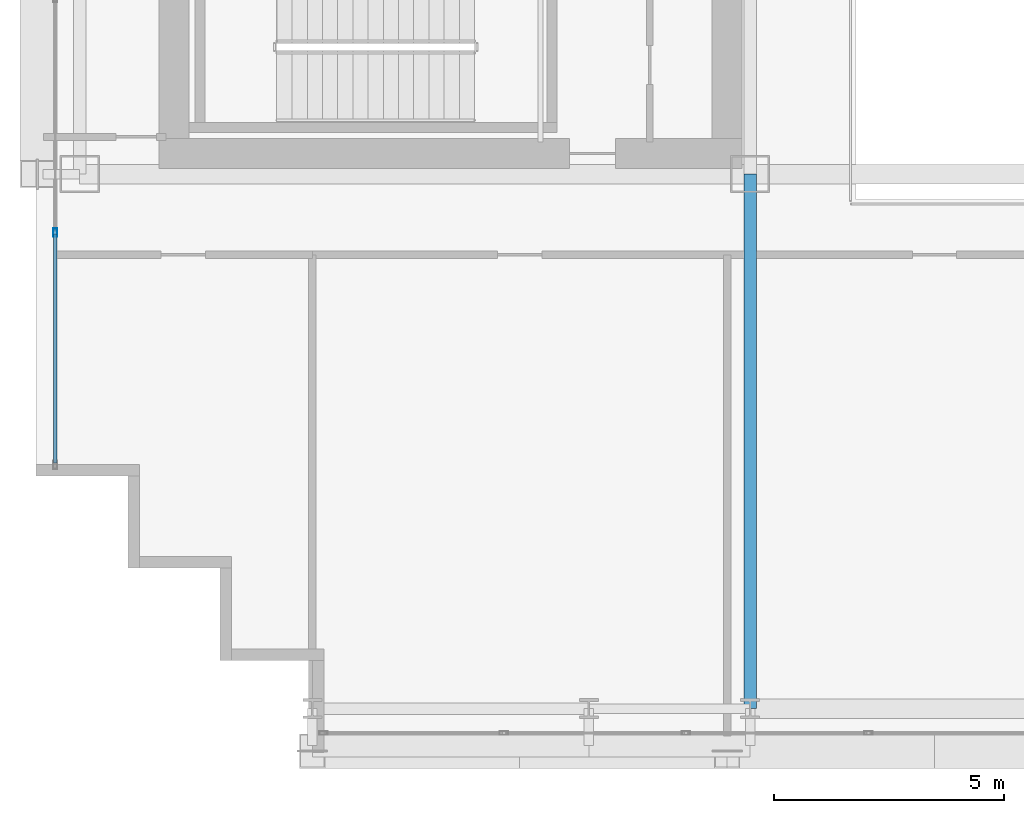
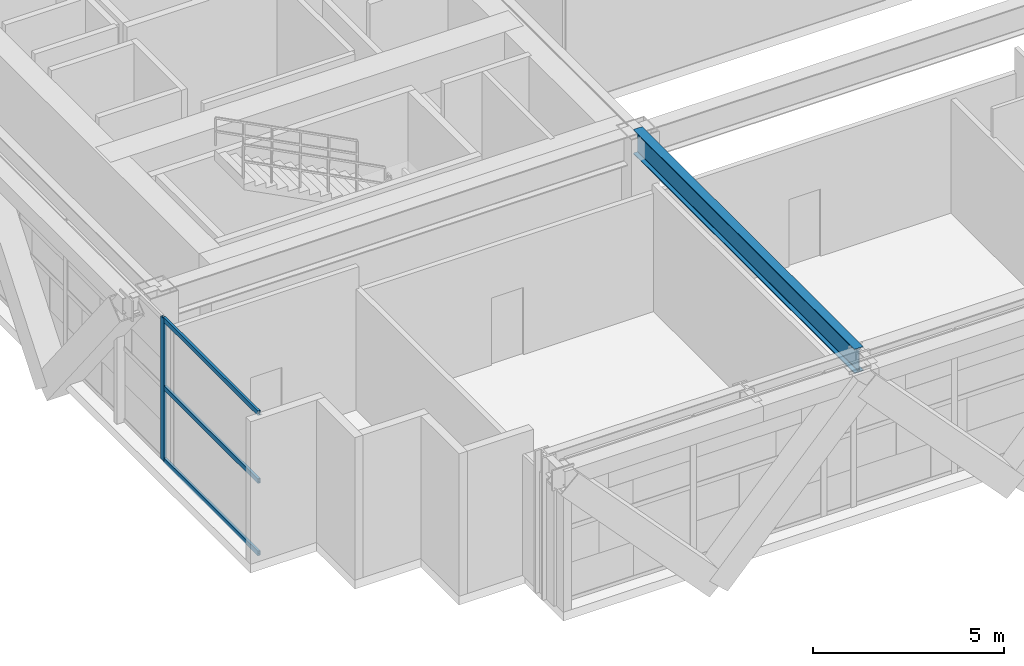
# One storey, part 3 of 38: 4 members, 1 beam, 1 element without a shape of its own.
"""IFC4 building model written with IfcOpenShell, lengths in metres."""

import ifcopenshell
import ifcopenshell.guid

model = None  # the IFC model being written
_history = None  # IfcOwnerHistory: only IFC2X3 demands one
_inside = {}  # id of a spatial element -> (the spatial element, [elements in it])
_under = {}  # id of a project, library or spatial element -> (it, [spatial elements below it])
_declared = {}  # id of a project -> (the project, [libraries it declares])
_typed = {}  # id of a type object -> (the type object, [elements of that type])
_made_of = {}  # id of a material, layer set ... -> (it, [elements and type objects made of it])


def new_model(schema):
    """Start an empty IFC model of exactly this schema.

    Asked for "IFC4X3", IfcOpenShell would pick the latest addendum, in which some entities
    have other attributes; the version numbers below select the first issue.
    IFC2X3 requires an IfcOwnerHistory on every rooted entity: one is made here for all.
    """
    global model, _history
    if schema == "IFC4X3":
        model = ifcopenshell.file(schema_version=(4, 3, 0, 0))
    else:
        model = ifcopenshell.file(schema=schema)
    _inside.clear()
    _under.clear()
    _declared.clear()
    _typed.clear()
    _made_of.clear()
    _history = None
    if model.schema == "IFC2X3":
        org = make("IfcOrganization", Name="unknown")
        user = make(
            "IfcPersonAndOrganization",
            ThePerson=make("IfcPerson", FamilyName="unknown"),
            TheOrganization=org,
        )
        app = make(
            "IfcApplication",
            ApplicationDeveloper=org,
            Version="unknown",
            ApplicationFullName="unknown",
            ApplicationIdentifier="unknown",
        )
        _history = make(
            "IfcOwnerHistory",
            OwningUser=user,
            OwningApplication=app,
            ChangeAction="ADDED",
            CreationDate=0,
        )
    return model


def make(cls, **values):
    """One entity of the class cls with the attributes given. An attribute that is None is left unset."""
    return model.create_entity(
        cls, **{name: value for name, value in values.items() if value is not None}
    )


def rooted(cls, **values):
    """An entity with a GlobalId (a new one), such as an element, a storey or a relation."""
    return make(cls, GlobalId=ifcopenshell.guid.new(), OwnerHistory=_history, **values)


def si_unit(unit_type, name, prefix=None):
    """IfcSIUnit, for example si_unit("LENGTHUNIT", "METRE", prefix="MILLI")."""
    return make("IfcSIUnit", UnitType=unit_type, Prefix=prefix, Name=name)


def assignment(units):
    """IfcUnitAssignment: the units of a project."""
    return None if units is None else make("IfcUnitAssignment", Units=units)


def point(xyz):
    """IfcCartesianPoint."""
    return None if xyz is None else make("IfcCartesianPoint", Coordinates=xyz)


def direction(xyz):
    """IfcDirection."""
    return None if xyz is None else make("IfcDirection", DirectionRatios=xyz)


def frame(location, z_axis=None, x_axis=None):
    """IfcAxis2Placement3D, a coordinate frame: its origin and axes. An axis left out is left unset."""
    return make(
        "IfcAxis2Placement3D",
        Location=point(location),
        Axis=direction(z_axis),
        RefDirection=direction(x_axis),
    )


def frame_2d(location, x_axis=None):
    """IfcAxis2Placement2D, a coordinate frame in the plane: its origin and x axis."""
    return make(
        "IfcAxis2Placement2D", Location=point(location), RefDirection=direction(x_axis)
    )


def origin():
    """The frame at (0, 0, 0) with its axes left unset."""
    return frame((0.0, 0.0, 0.0))


def origin_2d():
    """The frame at (0, 0) in the plane with its x axis left unset."""
    return frame_2d((0.0, 0.0))


def place(relative_to, where):
    """IfcLocalPlacement: puts the frame where relative to a parent placement (None: the world)."""
    return make(
        "IfcLocalPlacement", PlacementRelTo=relative_to, RelativePlacement=where
    )


def context(
    kind, dimensions, precision=None, world=None, true_north=None, identifier=None
):
    """IfcGeometricRepresentationContext, for example the 3D "Model" context."""
    return make(
        "IfcGeometricRepresentationContext",
        ContextIdentifier=identifier,
        ContextType=kind,
        CoordinateSpaceDimension=dimensions,
        Precision=precision,
        WorldCoordinateSystem=world,
        TrueNorth=true_north,
    )


def subcontext(parent, identifier, kind, view, scale=None):
    """IfcGeometricRepresentationSubContext, for example "Body" below "Model"."""
    return make(
        "IfcGeometricRepresentationSubContext",
        ContextIdentifier=identifier,
        ContextType=kind,
        ParentContext=parent,
        TargetScale=scale,
        TargetView=view,
    )


def project(units=None, contexts=None):
    """IfcProject with its units and contexts."""
    return rooted(
        "IfcProject",
        Name="project",
        RepresentationContexts=contexts,
        UnitsInContext=assignment(units),
    )


def spatial(cls, under=None, at=None, **own):
    """A site, building, storey or space (cls), placed at a placement, below another one or the project."""
    s = rooted(cls, ObjectPlacement=at, **own)
    if under is not None:
        _under.setdefault(under.id(), (under, []))[1].append(s)
    return s


def profile(cls, at=None, kind="AREA", **sizes):
    """A parametric profile (cls). Its sizes go by their IFC names, for example OverallWidth=200.0."""
    return make(cls, ProfileType=kind, Position=at, **sizes)


def hollow_rectangle(**sizes):
    """IfcRectangleHollowProfileDef."""
    return profile("IfcRectangleHollowProfileDef", **sizes)


def i_section(**sizes):
    """IfcIShapeProfileDef."""
    return profile("IfcIShapeProfileDef", **sizes)


def extrude(swept, where, along, depth):
    """IfcExtrudedAreaSolid: the profile swept, set in the frame where, extruded along a direction by depth."""
    return make(
        "IfcExtrudedAreaSolid",
        SweptArea=swept,
        Position=where,
        ExtrudedDirection=direction(along),
        Depth=depth,
    )


def shape(context_of_items, identifier, shape_type, items):
    """IfcShapeRepresentation: the items that make up one representation, for example the "Body"."""
    return make(
        "IfcShapeRepresentation",
        ContextOfItems=context_of_items,
        RepresentationIdentifier=identifier,
        RepresentationType=shape_type,
        Items=items,
    )


def source(mapping_origin, context_of_items, identifier, shape_type, items):
    """IfcRepresentationMap: a shape defined once, which mapped items show again and again."""
    return make(
        "IfcRepresentationMap",
        MappingOrigin=mapping_origin,
        MappedRepresentation=shape(context_of_items, identifier, shape_type, items),
    )


def transform(
    local_origin,
    x_axis=None,
    y_axis=None,
    z_axis=None,
    scale=None,
    scale2=None,
    scale3=None,
    uniform=True,
):
    """IfcCartesianTransformationOperator3D, or its non-uniform kind. x_axis, y_axis, z_axis: its Axis1, 2, 3."""
    if uniform:
        return make(
            "IfcCartesianTransformationOperator3D",
            Axis1=direction(x_axis),
            Axis2=direction(y_axis),
            LocalOrigin=point(local_origin),
            Scale=scale,
            Axis3=direction(z_axis),
        )
    return make(
        "IfcCartesianTransformationOperator3DnonUniform",
        Axis1=direction(x_axis),
        Axis2=direction(y_axis),
        LocalOrigin=point(local_origin),
        Scale=scale,
        Axis3=direction(z_axis),
        Scale2=scale2,
        Scale3=scale3,
    )


def mapped(mapping_source, mapping_target):
    """IfcMappedItem: shows the shape of a source again, moved by a transform."""
    return make(
        "IfcMappedItem", MappingSource=mapping_source, MappingTarget=mapping_target
    )


def material(Name=None, Category=None):
    """IfcMaterial."""
    return make("IfcMaterial", Name=Name, Category=Category)


def layer(
    of_material, thickness, ventilated=None, Name=None, Category=None, Priority=None
):
    """IfcMaterialLayer: one layer of a wall or slab, of a material (None: an air gap)."""
    return make(
        "IfcMaterialLayer",
        Material=of_material,
        LayerThickness=thickness,
        IsVentilated=ventilated,
        Name=Name,
        Category=Category,
        Priority=Priority,
    )


def layer_set(layers, Name=None):
    """IfcMaterialLayerSet."""
    return make("IfcMaterialLayerSet", MaterialLayers=layers, LayerSetName=Name)


def material_profile(
    of_material, cross_section, Name=None, Category=None, Priority=None
):
    """IfcMaterialProfile: a cross section and its material."""
    return make(
        "IfcMaterialProfile",
        Name=Name,
        Material=of_material,
        Profile=cross_section,
        Priority=Priority,
        Category=Category,
    )


def profile_set(profiles, Name=None, composite=None):
    """IfcMaterialProfileSet."""
    return make(
        "IfcMaterialProfileSet",
        Name=Name,
        MaterialProfiles=profiles,
        CompositeProfile=composite,
    )


def made_of(thing, what):
    """Note that an element or type object is made of a material, layer set ...; save() writes the relation."""
    if what is not None:
        _made_of.setdefault(what.id(), (what, []))[1].append(thing)
    return thing


def type_object(cls, material=None, **own):
    """A type object (cls), such as IfcWallType, which elements share."""
    return made_of(rooted(cls, **own), material)


def element(
    cls,
    number,
    at=None,
    inside=None,
    cuts=None,
    type_object=None,
    material=None,
    context=None,
    identifier="Body",
    shape_type=None,
    held_by="IfcProductDefinitionShape",
    body=None,
    shapes=None,
    **own,
):
    """One element of the class cls, such as IfcWall. Its Tag is "e" and its number.

    at: its placement. inside: the storey or other place that contains it. cuts: it is an
    opening in that element (IfcRelVoidsElement). A single representation is given by context,
    identifier, shape_type and body (its items); several are given by shapes. held_by: the class
    of the entity that holds the representations. save() writes the other relations.
    """
    e = rooted(cls, Tag="e%d" % number, ObjectPlacement=at, **own)
    if body is not None:
        shapes = [shape(context, identifier, shape_type, body)]
    if shapes is not None:
        e.Representation = make(held_by, Representations=shapes)
    if inside is not None:
        _inside.setdefault(inside.id(), (inside, []))[1].append(e)
    if cuts is not None:
        rooted(
            "IfcRelVoidsElement", RelatingBuildingElement=cuts, RelatedOpeningElement=e
        )
    if type_object is not None:
        _typed.setdefault(type_object.id(), (type_object, []))[1].append(e)
    return made_of(e, material)


def aggregate(whole, parts):
    """IfcRelAggregates: a whole, such as a stair, and the parts it consists of."""
    return rooted("IfcRelAggregates", RelatingObject=whole, RelatedObjects=parts)


def save(model, path):
    """Write the relations noted so far, then the file.

    IfcRelAggregates (storeys below a building ...), IfcRelContainedInSpatialStructure (elements
    in a storey), IfcRelDefinesByType, IfcRelAssociatesMaterial and IfcRelDeclares: one each for
    every whole, place, type object, material and project.
    """
    for whole, parts in _under.values():
        aggregate(whole, parts)
    for where, things in _inside.values():
        rooted(
            "IfcRelContainedInSpatialStructure",
            RelatedElements=things,
            RelatingStructure=where,
        )
    for kind, things in _typed.values():
        rooted("IfcRelDefinesByType", RelatedObjects=things, RelatingType=kind)
    for what, things in _made_of.values():
        rooted("IfcRelAssociatesMaterial", RelatedObjects=things, RelatingMaterial=what)
    for by, libraries in _declared.values():
        rooted("IfcRelDeclares", RelatingContext=by, RelatedDefinitions=libraries)
    model.write(path)


model = new_model("IFC4")

# Units and contexts
model_context = context("Model", 3, precision=1e-05, world=origin(), true_north=direction((0.0, 1.0)))
body_context = subcontext(model_context, "Body", "Model", "MODEL_VIEW")
ifc_project = project(units=[si_unit("LENGTHUNIT", "METRE"), si_unit("AREAUNIT", "SQUARE_METRE"), si_unit("VOLUMEUNIT", "CUBIC_METRE"), si_unit("PLANEANGLEUNIT", "RADIAN"), si_unit("MASSUNIT", "GRAM", prefix="KILO")], contexts=[model_context])

# Site, building, storey
site_placement = place(None, origin())
site = spatial("IfcSite", under=ifc_project, at=site_placement, CompositionType="ELEMENT")
building_placement = place(site_placement, origin())
building = spatial("IfcBuilding", under=site, at=building_placement, Name="Ocotamira Hotel", CompositionType="ELEMENT")
storey_placement = place(building_placement, frame((0.0, 0.0, 92.39990234375)))
storey = spatial("IfcBuildingStorey", under=building, at=storey_placement, Name="L22", CompositionType="ELEMENT", Elevation=92.39990234375)

# Beam
ifc_material_1 = material(Name="Steel ASTM A992 Grade 50", Category="steel")
ifc_material_profile_1 = material_profile(ifc_material_1, i_section(OverallWidth=0.26611328125, OverallDepth=0.779052734375, WebThickness=0.0166015625, FlangeThickness=0.030029296875, FilletRadius=0.01806640625, at=origin_2d()), Name="W30X148")
ifc_profile_set_1 = profile_set([ifc_material_profile_1], Name="Steel ASTM A992 Grade 50")
beam_type = type_object("IfcBeamType", Name="BM-GIRD-W30X148", PredefinedType="BEAM", material=ifc_profile_set_1)
shared_shape_1 = source(origin(), body_context, "Body", "SweptSolid", [
    extrude(i_section(OverallWidth=0.26611328125, OverallDepth=0.779052734375, WebThickness=0.0166015625, FlangeThickness=0.030029296875, FilletRadius=0.01806640625, at=origin_2d()), origin(), (0.0, 0.0, 1.0), 11.60009765625),
])
beam_placement = place(storey_placement, frame((23.5, 2.949951171875, 4.170654296875), z_axis=(0.0, 1.0, 0.0), x_axis=(-1.0, 0.0, 0.0)))
element("IfcBeam", 1, at=beam_placement, inside=storey, type_object=beam_type, Name="L22 Beam X23.5 Y2.95-14.55", PredefinedType="BEAM", context=body_context, shape_type="MappedRepresentation", body=[
    mapped(shared_shape_1, transform((0.0, 0.0, 0.0), scale=1.0)),
])

# Curtain wall, members
ifc_material_2 = material(Name="Anodised pale-metal aluminium and solar glass", Category="aluminium")
ifc_layer = layer(ifc_material_2, 0.239990234375)
ifc_layer_set = layer_set([ifc_layer], Name="Anodised pale-metal aluminium and solar glass")
curtain_wall_type = type_object("IfcCurtainWallType", Name="CW-SYS5-SKY", PredefinedType="NOTDEFINED", material=ifc_layer_set)
curtain_wall_placement = place(storey_placement, origin())
curtain_wall = element("IfcCurtainWall", 2, at=curtain_wall_placement, inside=storey, type_object=curtain_wall_type, Name="L22 Curtain Wall CW-5 CW-L22-W", PredefinedType="NOTDEFINED")
ifc_material_3 = material(Name="Anodised pale-metal aluminium 6063-T6", Category="aluminium")
ifc_material_profile_2 = material_profile(ifc_material_3, hollow_rectangle(XDim=0.074951171875, YDim=0.14990234375, WallThickness=0.006103515625, at=origin_2d()), Name="HSS150X75X6")
ifc_profile_set_2 = profile_set([ifc_material_profile_2], Name="Anodised pale-metal aluminium 6063-T6")
member_type_1 = type_object("IfcMemberType", Name="CWT-150X75", PredefinedType="USERDEFINED", material=ifc_profile_set_2)
shared_shape_2 = source(origin(), body_context, "Body", "SweptSolid", [
    extrude(hollow_rectangle(XDim=0.074951171875, YDim=0.14990234375, WallThickness=0.006103515625, at=origin_2d()), origin(), (0.0, 0.0, 1.0), 4.965576171875),
])
member_1_placement = place(storey_placement, frame((8.419921875, 8.280029296875, 0.03759765625), z_axis=(0.0, 1.0, 0.0), x_axis=(-1.0, 0.0, 0.0)))
member_1 = element("IfcMember", 3, at=member_1_placement, type_object=member_type_1, Name="CW-5 transom 1.1", ObjectType="TRANSOM", PredefinedType="USERDEFINED", context=body_context, shape_type="MappedRepresentation", body=[
    mapped(shared_shape_2, transform((0.0, 0.0, 0.0), scale=1.0)),
])
member_2_placement = place(storey_placement, frame((8.419921875, 8.280029296875, 2.35009765625), z_axis=(0.0, 1.0, 0.0), x_axis=(-1.0, 0.0, 0.0)))
member_2 = element("IfcMember", 4, at=member_2_placement, type_object=member_type_1, Name="CW-5 transom 1.2", ObjectType="TRANSOM", PredefinedType="USERDEFINED", context=body_context, shape_type="MappedRepresentation", body=[
    mapped(shared_shape_2, transform((0.0, 0.0, 0.0), scale=1.0)),
])
member_3_placement = place(storey_placement, frame((8.419921875, 8.280029296875, 4.522705078125), z_axis=(0.0, 1.0, 0.0), x_axis=(-1.0, 0.0, 0.0)))
member_3 = element("IfcMember", 5, at=member_3_placement, type_object=member_type_1, Name="CW-5 transom 1.3", ObjectType="TRANSOM", PredefinedType="USERDEFINED", context=body_context, shape_type="MappedRepresentation", body=[
    mapped(shared_shape_2, transform((0.0, 0.0, 0.0), scale=1.0)),
])
ifc_material_profile_3 = material_profile(ifc_material_3, hollow_rectangle(XDim=0.080078125, YDim=0.179931640625, WallThickness=0.006103515625, at=origin_2d()), Name="HSS180X80X6")
ifc_profile_set_3 = profile_set([ifc_material_profile_3], Name="Anodised pale-metal aluminium 6063-T6")
member_type_2 = type_object("IfcMemberType", Name="CWM-180X75", PredefinedType="MULLION", material=ifc_profile_set_3)
shared_shape_3 = source(origin(), body_context, "Body", "SweptSolid", [
    extrude(hollow_rectangle(XDim=0.080078125, YDim=0.179931640625, WallThickness=0.006103515625, at=origin_2d()), origin(), (0.0, 0.0, 1.0), 4.56005859375),
])
member_4_placement = place(storey_placement, frame((8.419921875, 13.28564453125, 0.0), z_axis=(0.0, 0.0, 1.0), x_axis=(-1.0, 0.0, 0.0)))
member_4 = element("IfcMember", 6, at=member_4_placement, type_object=member_type_2, Name="CW-5 mullion 2", PredefinedType="MULLION", context=body_context, shape_type="MappedRepresentation", body=[
    mapped(shared_shape_3, transform((0.0, 0.0, 0.0), scale=1.0)),
])
aggregate(curtain_wall, [member_4, member_1, member_2, member_3])

save(model, "model.ifc")
